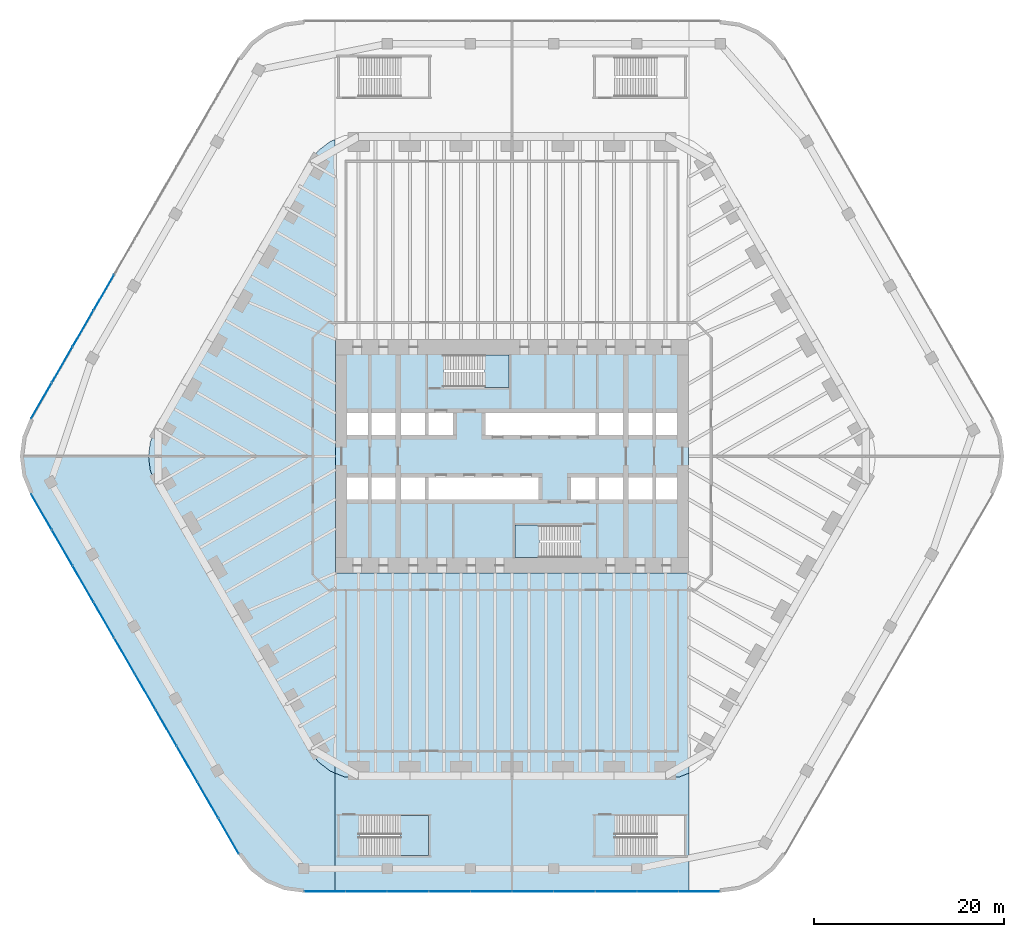
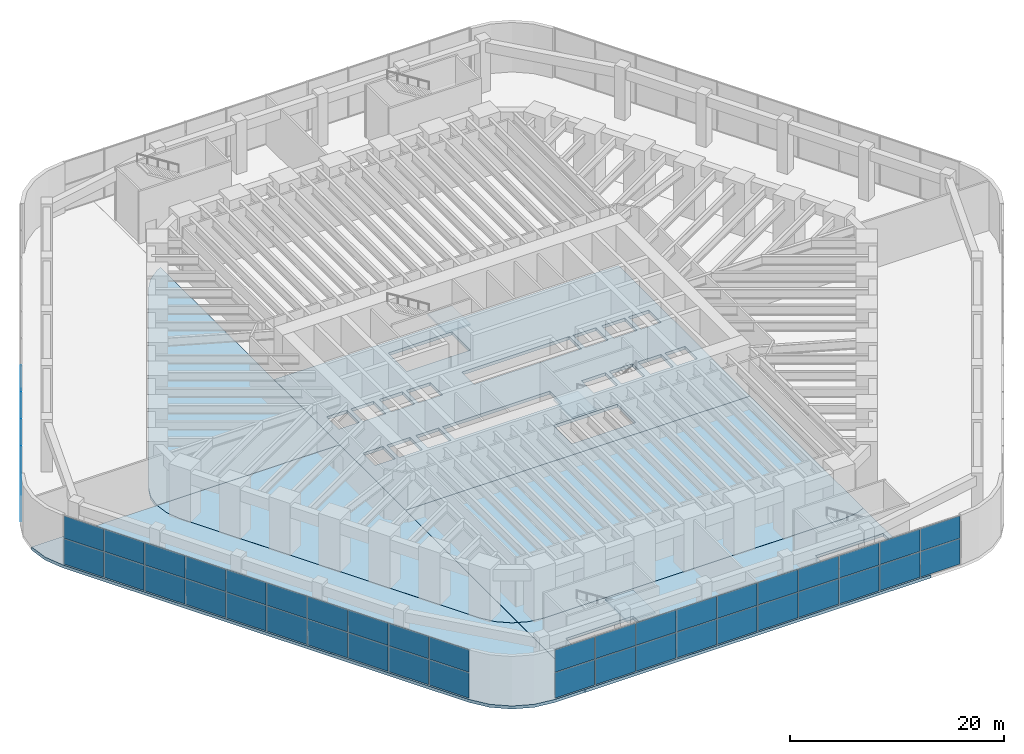
# One storey, part 23 of 31: 48 plates, 9 slabs, 6 elements without a shape of their own.
"""IFC4 building model written with IfcOpenShell, lengths in metres."""

from ifc_helpers import new_model, si_unit, direction, frame, origin, origin_2d, place, context, subcontext, project, spatial, polyline, rectangle, outline, extrude, material, layer, layer_set, type_object, element, aggregate, save


model = new_model("IFC4")

# Units and contexts
model_context = context("Model", 3, precision=1e-05, world=origin(), true_north=direction((0.0, 1.0)))
body_context = subcontext(model_context, "Body", "Model", "MODEL_VIEW")
ifc_project = project(units=[si_unit("LENGTHUNIT", "METRE"), si_unit("AREAUNIT", "SQUARE_METRE"), si_unit("VOLUMEUNIT", "CUBIC_METRE"), si_unit("PLANEANGLEUNIT", "RADIAN"), si_unit("MASSUNIT", "GRAM", prefix="KILO")], contexts=[model_context])

# Site, building, storey
site_placement = place(None, origin())
site = spatial("IfcSite", under=ifc_project, at=site_placement, CompositionType="ELEMENT")
building_placement = place(site_placement, origin())
building = spatial("IfcBuilding", under=site, at=building_placement, Name="Tarfa Lantern Tower", CompositionType="ELEMENT")
storey_placement = place(building_placement, frame((0.0, 0.0, 7.0)))
storey = spatial("IfcBuildingStorey", under=building, at=storey_placement, Name="L01", CompositionType="ELEMENT", Elevation=7.0)

# Curtain wall, plates
ifc_material_1 = material(Name="Aluminium framed curtain wall", Category="aluminium")
curtain_wall_type = type_object("IfcCurtainWallType", Name="CW7 PODIUM GLAZING 5650", PredefinedType="USERDEFINED", material=ifc_material_1)
curtain_wall_1_placement = place(storey_placement, origin())
curtain_wall_1 = element("IfcCurtainWall", 1, at=curtain_wall_1_placement, inside=storey, type_object=curtain_wall_type, Name="CW7 NW L01", ObjectType="CURTAIN WALL", PredefinedType="USERDEFINED")
ifc_material_2 = material(Name="Laminated double glazing", Category="glass")
ifc_layer_1 = layer(ifc_material_2, 0.028076171875)
ifc_layer_set_1 = layer_set([ifc_layer_1], Name="CWP1 DOUBLE GLAZED PANEL")
plate_type = type_object("IfcPlateType", Name="CWP1 DOUBLE GLAZED PANEL", PredefinedType="CURTAIN_PANEL", material=ifc_layer_set_1)
plate_1_placement = place(storey_placement, frame((-43.04150390625, 17.25, 0.06494140625), z_axis=(0.0, 0.0, 1.0), x_axis=(-0.5, -0.866025403784, 0.0)))
plate_1 = element("IfcPlate", 2, at=plate_1_placement, type_object=plate_type, Name="CW7 panel 7.1", PredefinedType="CURTAIN_PANEL", context=body_context, shape_type="SweptSolid", body=[
    extrude(rectangle(XDim=4.32275390625, YDim=0.028076171875, at=origin_2d()), origin(), (0.0, 0.0, 1.0), 2.902587890625),
])
plate_2_placement = place(storey_placement, frame((-43.04150390625, 17.25, 3.03271484375), z_axis=(0.0, 0.0, 1.0), x_axis=(-0.5, -0.866025403784, 0.0)))
plate_2 = element("IfcPlate", 3, at=plate_2_placement, type_object=plate_type, Name="CW7 panel 7.2", PredefinedType="CURTAIN_PANEL", context=body_context, shape_type="SweptSolid", body=[
    extrude(rectangle(XDim=4.32275390625, YDim=0.028076171875, at=origin_2d()), origin(), (0.0, 0.0, 1.0), 2.552490234375),
])
plate_3_placement = place(storey_placement, frame((-45.2353515625, 13.449951171875, 0.06494140625), z_axis=(0.0, 0.0, 1.0), x_axis=(-0.5, -0.866025403784, 0.0)))
plate_3 = element("IfcPlate", 4, at=plate_3_placement, type_object=plate_type, Name="CW7 panel 8.1", PredefinedType="CURTAIN_PANEL", context=body_context, shape_type="SweptSolid", body=[
    extrude(rectangle(XDim=4.32275390625, YDim=0.028076171875, at=origin_2d()), origin(), (0.0, 0.0, 1.0), 2.902587890625),
])
plate_4_placement = place(storey_placement, frame((-45.2353515625, 13.449951171875, 3.03271484375), z_axis=(0.0, 0.0, 1.0), x_axis=(-0.5, -0.866025403784, 0.0)))
plate_4 = element("IfcPlate", 5, at=plate_4_placement, type_object=plate_type, Name="CW7 panel 8.2", PredefinedType="CURTAIN_PANEL", context=body_context, shape_type="SweptSolid", body=[
    extrude(rectangle(XDim=4.32275390625, YDim=0.028076171875, at=origin_2d()), origin(), (0.0, 0.0, 1.0), 2.552490234375),
])
plate_5_placement = place(storey_placement, frame((-47.429443359375, 9.64990234375, 0.06494140625), z_axis=(0.0, 0.0, 1.0), x_axis=(-0.5, -0.866025403784, 0.0)))
plate_5 = element("IfcPlate", 6, at=plate_5_placement, type_object=plate_type, Name="CW7 panel 9.1", PredefinedType="CURTAIN_PANEL", context=body_context, shape_type="SweptSolid", body=[
    extrude(rectangle(XDim=4.32275390625, YDim=0.028076171875, at=origin_2d()), origin(), (0.0, 0.0, 1.0), 2.902587890625),
])
plate_6_placement = place(storey_placement, frame((-47.429443359375, 9.64990234375, 3.03271484375), z_axis=(0.0, 0.0, 1.0), x_axis=(-0.5, -0.866025403784, 0.0)))
plate_6 = element("IfcPlate", 7, at=plate_6_placement, type_object=plate_type, Name="CW7 panel 9.2", PredefinedType="CURTAIN_PANEL", context=body_context, shape_type="SweptSolid", body=[
    extrude(rectangle(XDim=4.32275390625, YDim=0.028076171875, at=origin_2d()), origin(), (0.0, 0.0, 1.0), 2.552490234375),
])
plate_7_placement = place(storey_placement, frame((-49.615234375, 5.864013671875, 0.06494140625), z_axis=(0.0, 0.0, 1.0), x_axis=(-0.5, -0.866025403784, 0.0)))
plate_7 = element("IfcPlate", 8, at=plate_7_placement, type_object=plate_type, Name="CW7 panel 10.1", PredefinedType="CURTAIN_PANEL", context=body_context, shape_type="SweptSolid", body=[
    extrude(rectangle(XDim=4.290283203125, YDim=0.028076171875, at=origin_2d()), origin(), (0.0, 0.0, 1.0), 2.902587890625),
])
plate_8_placement = place(storey_placement, frame((-49.615234375, 5.864013671875, 3.03271484375), z_axis=(0.0, 0.0, 1.0), x_axis=(-0.5, -0.866025403784, 0.0)))
plate_8 = element("IfcPlate", 9, at=plate_8_placement, type_object=plate_type, Name="CW7 panel 10.2", PredefinedType="CURTAIN_PANEL", context=body_context, shape_type="SweptSolid", body=[
    extrude(rectangle(XDim=4.290283203125, YDim=0.028076171875, at=origin_2d()), origin(), (0.0, 0.0, 1.0), 2.552490234375),
])
aggregate(curtain_wall_1, [plate_1, plate_2, plate_3, plate_4, plate_5, plate_6, plate_7, plate_8])

curtain_wall_2_placement = place(storey_placement, origin())
curtain_wall_2 = element("IfcCurtainWall", 10, at=curtain_wall_2_placement, inside=storey, type_object=curtain_wall_type, Name="CW7 SW L01", ObjectType="CURTAIN WALL", PredefinedType="USERDEFINED")
plate_9_placement = place(storey_placement, frame((-49.615234375, -5.864013671875, 0.06494140625), z_axis=(0.0, 0.0, 1.0), x_axis=(0.5, -0.866025403784, 0.0)))
plate_9 = element("IfcPlate", 11, at=plate_9_placement, type_object=plate_type, Name="CW7 panel 1.1", PredefinedType="CURTAIN_PANEL", context=body_context, shape_type="SweptSolid", body=[
    extrude(rectangle(XDim=4.290283203125, YDim=0.028076171875, at=origin_2d()), origin(), (0.0, 0.0, 1.0), 2.902587890625),
])
plate_10_placement = place(storey_placement, frame((-49.615234375, -5.864013671875, 3.03271484375), z_axis=(0.0, 0.0, 1.0), x_axis=(0.5, -0.866025403784, 0.0)))
plate_10 = element("IfcPlate", 12, at=plate_10_placement, type_object=plate_type, Name="CW7 panel 1.2", PredefinedType="CURTAIN_PANEL", context=body_context, shape_type="SweptSolid", body=[
    extrude(rectangle(XDim=4.290283203125, YDim=0.028076171875, at=origin_2d()), origin(), (0.0, 0.0, 1.0), 2.552490234375),
])
plate_11_placement = place(storey_placement, frame((-47.429443359375, -9.64990234375, 0.06494140625), z_axis=(0.0, 0.0, 1.0), x_axis=(0.5, -0.866025403784, 0.0)))
plate_11 = element("IfcPlate", 13, at=plate_11_placement, type_object=plate_type, Name="CW7 panel 2.1", PredefinedType="CURTAIN_PANEL", context=body_context, shape_type="SweptSolid", body=[
    extrude(rectangle(XDim=4.32275390625, YDim=0.028076171875, at=origin_2d()), origin(), (0.0, 0.0, 1.0), 2.902587890625),
])
plate_12_placement = place(storey_placement, frame((-47.429443359375, -9.64990234375, 3.03271484375), z_axis=(0.0, 0.0, 1.0), x_axis=(0.5, -0.866025403784, 0.0)))
plate_12 = element("IfcPlate", 14, at=plate_12_placement, type_object=plate_type, Name="CW7 panel 2.2", PredefinedType="CURTAIN_PANEL", context=body_context, shape_type="SweptSolid", body=[
    extrude(rectangle(XDim=4.32275390625, YDim=0.028076171875, at=origin_2d()), origin(), (0.0, 0.0, 1.0), 2.552490234375),
])
plate_13_placement = place(storey_placement, frame((-45.2353515625, -13.449951171875, 0.06494140625), z_axis=(0.0, 0.0, 1.0), x_axis=(0.5, -0.866025403784, 0.0)))
plate_13 = element("IfcPlate", 15, at=plate_13_placement, type_object=plate_type, Name="CW7 panel 3.1", PredefinedType="CURTAIN_PANEL", context=body_context, shape_type="SweptSolid", body=[
    extrude(rectangle(XDim=4.32275390625, YDim=0.028076171875, at=origin_2d()), origin(), (0.0, 0.0, 1.0), 2.902587890625),
])
plate_14_placement = place(storey_placement, frame((-45.2353515625, -13.449951171875, 3.03271484375), z_axis=(0.0, 0.0, 1.0), x_axis=(0.5, -0.866025403784, 0.0)))
plate_14 = element("IfcPlate", 16, at=plate_14_placement, type_object=plate_type, Name="CW7 panel 3.2", PredefinedType="CURTAIN_PANEL", context=body_context, shape_type="SweptSolid", body=[
    extrude(rectangle(XDim=4.32275390625, YDim=0.028076171875, at=origin_2d()), origin(), (0.0, 0.0, 1.0), 2.552490234375),
])
plate_15_placement = place(storey_placement, frame((-43.04150390625, -17.25, 0.06494140625), z_axis=(0.0, 0.0, 1.0), x_axis=(0.5, -0.866025403784, 0.0)))
plate_15 = element("IfcPlate", 17, at=plate_15_placement, type_object=plate_type, Name="CW7 panel 4.1", PredefinedType="CURTAIN_PANEL", context=body_context, shape_type="SweptSolid", body=[
    extrude(rectangle(XDim=4.32275390625, YDim=0.028076171875, at=origin_2d()), origin(), (0.0, 0.0, 1.0), 2.902587890625),
])
plate_16_placement = place(storey_placement, frame((-43.04150390625, -17.25, 3.03271484375), z_axis=(0.0, 0.0, 1.0), x_axis=(0.5, -0.866025403784, 0.0)))
plate_16 = element("IfcPlate", 18, at=plate_16_placement, type_object=plate_type, Name="CW7 panel 4.2", PredefinedType="CURTAIN_PANEL", context=body_context, shape_type="SweptSolid", body=[
    extrude(rectangle(XDim=4.32275390625, YDim=0.028076171875, at=origin_2d()), origin(), (0.0, 0.0, 1.0), 2.552490234375),
])
plate_17_placement = place(storey_placement, frame((-40.847412109375, -21.050048828125, 0.06494140625), z_axis=(0.0, 0.0, 1.0), x_axis=(0.5, -0.866025403784, 0.0)))
plate_17 = element("IfcPlate", 19, at=plate_17_placement, type_object=plate_type, Name="CW7 panel 5.1", PredefinedType="CURTAIN_PANEL", context=body_context, shape_type="SweptSolid", body=[
    extrude(rectangle(XDim=4.32275390625, YDim=0.028076171875, at=origin_2d()), origin(), (0.0, 0.0, 1.0), 2.902587890625),
])
plate_18_placement = place(storey_placement, frame((-40.847412109375, -21.050048828125, 3.03271484375), z_axis=(0.0, 0.0, 1.0), x_axis=(0.5, -0.866025403784, 0.0)))
plate_18 = element("IfcPlate", 20, at=plate_18_placement, type_object=plate_type, Name="CW7 panel 5.2", PredefinedType="CURTAIN_PANEL", context=body_context, shape_type="SweptSolid", body=[
    extrude(rectangle(XDim=4.32275390625, YDim=0.028076171875, at=origin_2d()), origin(), (0.0, 0.0, 1.0), 2.552490234375),
])
plate_19_placement = place(storey_placement, frame((-38.653564453125, -24.85009765625, 0.06494140625), z_axis=(0.0, 0.0, 1.0), x_axis=(0.5, -0.866025403784, 0.0)))
plate_19 = element("IfcPlate", 21, at=plate_19_placement, type_object=plate_type, Name="CW7 panel 6.1", PredefinedType="CURTAIN_PANEL", context=body_context, shape_type="SweptSolid", body=[
    extrude(rectangle(XDim=4.32275390625, YDim=0.028076171875, at=origin_2d()), origin(), (0.0, 0.0, 1.0), 2.902587890625),
])
plate_20_placement = place(storey_placement, frame((-38.653564453125, -24.85009765625, 3.03271484375), z_axis=(0.0, 0.0, 1.0), x_axis=(0.5, -0.866025403784, 0.0)))
plate_20 = element("IfcPlate", 22, at=plate_20_placement, type_object=plate_type, Name="CW7 panel 6.2", PredefinedType="CURTAIN_PANEL", context=body_context, shape_type="SweptSolid", body=[
    extrude(rectangle(XDim=4.32275390625, YDim=0.028076171875, at=origin_2d()), origin(), (0.0, 0.0, 1.0), 2.552490234375),
])
plate_21_placement = place(storey_placement, frame((-36.459716796875, -28.64990234375, 0.06494140625), z_axis=(0.0, 0.0, 1.0), x_axis=(0.5, -0.866025403784, 0.0)))
plate_21 = element("IfcPlate", 23, at=plate_21_placement, type_object=plate_type, Name="CW7 panel 7.1", PredefinedType="CURTAIN_PANEL", context=body_context, shape_type="SweptSolid", body=[
    extrude(rectangle(XDim=4.32275390625, YDim=0.028076171875, at=origin_2d()), origin(), (0.0, 0.0, 1.0), 2.902587890625),
])
plate_22_placement = place(storey_placement, frame((-36.459716796875, -28.64990234375, 3.03271484375), z_axis=(0.0, 0.0, 1.0), x_axis=(0.5, -0.866025403784, 0.0)))
plate_22 = element("IfcPlate", 24, at=plate_22_placement, type_object=plate_type, Name="CW7 panel 7.2", PredefinedType="CURTAIN_PANEL", context=body_context, shape_type="SweptSolid", body=[
    extrude(rectangle(XDim=4.32275390625, YDim=0.028076171875, at=origin_2d()), origin(), (0.0, 0.0, 1.0), 2.552490234375),
])
plate_23_placement = place(storey_placement, frame((-34.265625, -32.449951171875, 0.06494140625), z_axis=(0.0, 0.0, 1.0), x_axis=(0.5, -0.866025403784, 0.0)))
plate_23 = element("IfcPlate", 25, at=plate_23_placement, type_object=plate_type, Name="CW7 panel 8.1", PredefinedType="CURTAIN_PANEL", context=body_context, shape_type="SweptSolid", body=[
    extrude(rectangle(XDim=4.32275390625, YDim=0.028076171875, at=origin_2d()), origin(), (0.0, 0.0, 1.0), 2.902587890625),
])
plate_24_placement = place(storey_placement, frame((-34.265625, -32.449951171875, 3.03271484375), z_axis=(0.0, 0.0, 1.0), x_axis=(0.5, -0.866025403784, 0.0)))
plate_24 = element("IfcPlate", 26, at=plate_24_placement, type_object=plate_type, Name="CW7 panel 8.2", PredefinedType="CURTAIN_PANEL", context=body_context, shape_type="SweptSolid", body=[
    extrude(rectangle(XDim=4.32275390625, YDim=0.028076171875, at=origin_2d()), origin(), (0.0, 0.0, 1.0), 2.552490234375),
])
plate_25_placement = place(storey_placement, frame((-32.07177734375, -36.25, 0.06494140625), z_axis=(0.0, 0.0, 1.0), x_axis=(0.5, -0.866025403784, 0.0)))
plate_25 = element("IfcPlate", 27, at=plate_25_placement, type_object=plate_type, Name="CW7 panel 9.1", PredefinedType="CURTAIN_PANEL", context=body_context, shape_type="SweptSolid", body=[
    extrude(rectangle(XDim=4.32275390625, YDim=0.028076171875, at=origin_2d()), origin(), (0.0, 0.0, 1.0), 2.902587890625),
])
plate_26_placement = place(storey_placement, frame((-32.07177734375, -36.25, 3.03271484375), z_axis=(0.0, 0.0, 1.0), x_axis=(0.5, -0.866025403784, 0.0)))
plate_26 = element("IfcPlate", 28, at=plate_26_placement, type_object=plate_type, Name="CW7 panel 9.2", PredefinedType="CURTAIN_PANEL", context=body_context, shape_type="SweptSolid", body=[
    extrude(rectangle(XDim=4.32275390625, YDim=0.028076171875, at=origin_2d()), origin(), (0.0, 0.0, 1.0), 2.552490234375),
])
plate_27_placement = place(storey_placement, frame((-29.885986328125, -40.035888671875, 0.06494140625), z_axis=(0.0, 0.0, 1.0), x_axis=(0.5, -0.866025403784, 0.0)))
plate_27 = element("IfcPlate", 29, at=plate_27_placement, type_object=plate_type, Name="CW7 panel 10.1", PredefinedType="CURTAIN_PANEL", context=body_context, shape_type="SweptSolid", body=[
    extrude(rectangle(XDim=4.290283203125, YDim=0.028076171875, at=origin_2d()), origin(), (0.0, 0.0, 1.0), 2.902587890625),
])
plate_28_placement = place(storey_placement, frame((-29.885986328125, -40.035888671875, 3.03271484375), z_axis=(0.0, 0.0, 1.0), x_axis=(0.5, -0.866025403784, 0.0)))
plate_28 = element("IfcPlate", 30, at=plate_28_placement, type_object=plate_type, Name="CW7 panel 10.2", PredefinedType="CURTAIN_PANEL", context=body_context, shape_type="SweptSolid", body=[
    extrude(rectangle(XDim=4.290283203125, YDim=0.028076171875, at=origin_2d()), origin(), (0.0, 0.0, 1.0), 2.552490234375),
])
aggregate(curtain_wall_2, [plate_9, plate_10, plate_11, plate_12, plate_13, plate_14, plate_15, plate_16, plate_17, plate_18, plate_19, plate_20, plate_21, plate_22, plate_23, plate_24, plate_25, plate_26, plate_27, plate_28])

curtain_wall_3_placement = place(storey_placement, origin())
curtain_wall_3 = element("IfcCurtainWall", 31, at=curtain_wall_3_placement, inside=storey, type_object=curtain_wall_type, Name="CW7 S L01", ObjectType="CURTAIN WALL", PredefinedType="USERDEFINED")
plate_29_placement = place(storey_placement, frame((-19.729248046875, -45.89990234375, 0.06494140625), z_axis=(0.0, 0.0, 1.0), x_axis=(1.0, 0.0, 0.0)))
plate_29 = element("IfcPlate", 32, at=plate_29_placement, type_object=plate_type, Name="CW7 panel 1.1", PredefinedType="CURTAIN_PANEL", context=body_context, shape_type="SweptSolid", body=[
    extrude(rectangle(XDim=4.290283203125, YDim=0.028076171875, at=origin_2d()), origin(), (0.0, 0.0, 1.0), 2.902587890625),
])
plate_30_placement = place(storey_placement, frame((-19.729248046875, -45.89990234375, 3.03271484375), z_axis=(0.0, 0.0, 1.0), x_axis=(1.0, 0.0, 0.0)))
plate_30 = element("IfcPlate", 33, at=plate_30_placement, type_object=plate_type, Name="CW7 panel 1.2", PredefinedType="CURTAIN_PANEL", context=body_context, shape_type="SweptSolid", body=[
    extrude(rectangle(XDim=4.290283203125, YDim=0.028076171875, at=origin_2d()), origin(), (0.0, 0.0, 1.0), 2.552490234375),
])
plate_31_placement = place(storey_placement, frame((-15.357421875, -45.89990234375, 0.06494140625), z_axis=(0.0, 0.0, 1.0), x_axis=(1.0, 0.0, 0.0)))
plate_31 = element("IfcPlate", 34, at=plate_31_placement, type_object=plate_type, Name="CW7 panel 2.1", PredefinedType="CURTAIN_PANEL", context=body_context, shape_type="SweptSolid", body=[
    extrude(rectangle(XDim=4.32275390625, YDim=0.028076171875, at=origin_2d()), origin(), (0.0, 0.0, 1.0), 2.902587890625),
])
plate_32_placement = place(storey_placement, frame((-15.357421875, -45.89990234375, 3.03271484375), z_axis=(0.0, 0.0, 1.0), x_axis=(1.0, 0.0, 0.0)))
plate_32 = element("IfcPlate", 35, at=plate_32_placement, type_object=plate_type, Name="CW7 panel 2.2", PredefinedType="CURTAIN_PANEL", context=body_context, shape_type="SweptSolid", body=[
    extrude(rectangle(XDim=4.32275390625, YDim=0.028076171875, at=origin_2d()), origin(), (0.0, 0.0, 1.0), 2.552490234375),
])
plate_33_placement = place(storey_placement, frame((-10.9697265625, -45.89990234375, 0.06494140625), z_axis=(0.0, 0.0, 1.0), x_axis=(1.0, 0.0, 0.0)))
plate_33 = element("IfcPlate", 36, at=plate_33_placement, type_object=plate_type, Name="CW7 panel 3.1", PredefinedType="CURTAIN_PANEL", context=body_context, shape_type="SweptSolid", body=[
    extrude(rectangle(XDim=4.32275390625, YDim=0.028076171875, at=origin_2d()), origin(), (0.0, 0.0, 1.0), 2.902587890625),
])
plate_34_placement = place(storey_placement, frame((-10.9697265625, -45.89990234375, 3.03271484375), z_axis=(0.0, 0.0, 1.0), x_axis=(1.0, 0.0, 0.0)))
plate_34 = element("IfcPlate", 37, at=plate_34_placement, type_object=plate_type, Name="CW7 panel 3.2", PredefinedType="CURTAIN_PANEL", context=body_context, shape_type="SweptSolid", body=[
    extrude(rectangle(XDim=4.32275390625, YDim=0.028076171875, at=origin_2d()), origin(), (0.0, 0.0, 1.0), 2.552490234375),
])
plate_35_placement = place(storey_placement, frame((-6.581787109375, -45.89990234375, 0.06494140625), z_axis=(0.0, 0.0, 1.0), x_axis=(1.0, 0.0, 0.0)))
plate_35 = element("IfcPlate", 38, at=plate_35_placement, type_object=plate_type, Name="CW7 panel 4.1", PredefinedType="CURTAIN_PANEL", context=body_context, shape_type="SweptSolid", body=[
    extrude(rectangle(XDim=4.32275390625, YDim=0.028076171875, at=origin_2d()), origin(), (0.0, 0.0, 1.0), 2.902587890625),
])
plate_36_placement = place(storey_placement, frame((-6.581787109375, -45.89990234375, 3.03271484375), z_axis=(0.0, 0.0, 1.0), x_axis=(1.0, 0.0, 0.0)))
plate_36 = element("IfcPlate", 39, at=plate_36_placement, type_object=plate_type, Name="CW7 panel 4.2", PredefinedType="CURTAIN_PANEL", context=body_context, shape_type="SweptSolid", body=[
    extrude(rectangle(XDim=4.32275390625, YDim=0.028076171875, at=origin_2d()), origin(), (0.0, 0.0, 1.0), 2.552490234375),
])
plate_37_placement = place(storey_placement, frame((-2.19384765625, -45.89990234375, 0.06494140625), z_axis=(0.0, 0.0, 1.0), x_axis=(1.0, 0.0, 0.0)))
plate_37 = element("IfcPlate", 40, at=plate_37_placement, type_object=plate_type, Name="CW7 panel 5.1", PredefinedType="CURTAIN_PANEL", context=body_context, shape_type="SweptSolid", body=[
    extrude(rectangle(XDim=4.32275390625, YDim=0.028076171875, at=origin_2d()), origin(), (0.0, 0.0, 1.0), 2.902587890625),
])
plate_38_placement = place(storey_placement, frame((-2.19384765625, -45.89990234375, 3.03271484375), z_axis=(0.0, 0.0, 1.0), x_axis=(1.0, 0.0, 0.0)))
plate_38 = element("IfcPlate", 41, at=plate_38_placement, type_object=plate_type, Name="CW7 panel 5.2", PredefinedType="CURTAIN_PANEL", context=body_context, shape_type="SweptSolid", body=[
    extrude(rectangle(XDim=4.32275390625, YDim=0.028076171875, at=origin_2d()), origin(), (0.0, 0.0, 1.0), 2.552490234375),
])
plate_39_placement = place(storey_placement, frame((2.19384765625, -45.89990234375, 0.06494140625), z_axis=(0.0, 0.0, 1.0), x_axis=(1.0, 0.0, 0.0)))
plate_39 = element("IfcPlate", 42, at=plate_39_placement, type_object=plate_type, Name="CW7 panel 6.1", PredefinedType="CURTAIN_PANEL", context=body_context, shape_type="SweptSolid", body=[
    extrude(rectangle(XDim=4.32275390625, YDim=0.028076171875, at=origin_2d()), origin(), (0.0, 0.0, 1.0), 2.902587890625),
])
plate_40_placement = place(storey_placement, frame((2.19384765625, -45.89990234375, 3.03271484375), z_axis=(0.0, 0.0, 1.0), x_axis=(1.0, 0.0, 0.0)))
plate_40 = element("IfcPlate", 43, at=plate_40_placement, type_object=plate_type, Name="CW7 panel 6.2", PredefinedType="CURTAIN_PANEL", context=body_context, shape_type="SweptSolid", body=[
    extrude(rectangle(XDim=4.32275390625, YDim=0.028076171875, at=origin_2d()), origin(), (0.0, 0.0, 1.0), 2.552490234375),
])
plate_41_placement = place(storey_placement, frame((6.581787109375, -45.89990234375, 0.06494140625), z_axis=(0.0, 0.0, 1.0), x_axis=(1.0, 0.0, 0.0)))
plate_41 = element("IfcPlate", 44, at=plate_41_placement, type_object=plate_type, Name="CW7 panel 7.1", PredefinedType="CURTAIN_PANEL", context=body_context, shape_type="SweptSolid", body=[
    extrude(rectangle(XDim=4.32275390625, YDim=0.028076171875, at=origin_2d()), origin(), (0.0, 0.0, 1.0), 2.902587890625),
])
plate_42_placement = place(storey_placement, frame((6.581787109375, -45.89990234375, 3.03271484375), z_axis=(0.0, 0.0, 1.0), x_axis=(1.0, 0.0, 0.0)))
plate_42 = element("IfcPlate", 45, at=plate_42_placement, type_object=plate_type, Name="CW7 panel 7.2", PredefinedType="CURTAIN_PANEL", context=body_context, shape_type="SweptSolid", body=[
    extrude(rectangle(XDim=4.32275390625, YDim=0.028076171875, at=origin_2d()), origin(), (0.0, 0.0, 1.0), 2.552490234375),
])
plate_43_placement = place(storey_placement, frame((10.9697265625, -45.89990234375, 0.06494140625), z_axis=(0.0, 0.0, 1.0), x_axis=(1.0, 0.0, 0.0)))
plate_43 = element("IfcPlate", 46, at=plate_43_placement, type_object=plate_type, Name="CW7 panel 8.1", PredefinedType="CURTAIN_PANEL", context=body_context, shape_type="SweptSolid", body=[
    extrude(rectangle(XDim=4.32275390625, YDim=0.028076171875, at=origin_2d()), origin(), (0.0, 0.0, 1.0), 2.902587890625),
])
plate_44_placement = place(storey_placement, frame((10.9697265625, -45.89990234375, 3.03271484375), z_axis=(0.0, 0.0, 1.0), x_axis=(1.0, 0.0, 0.0)))
plate_44 = element("IfcPlate", 47, at=plate_44_placement, type_object=plate_type, Name="CW7 panel 8.2", PredefinedType="CURTAIN_PANEL", context=body_context, shape_type="SweptSolid", body=[
    extrude(rectangle(XDim=4.32275390625, YDim=0.028076171875, at=origin_2d()), origin(), (0.0, 0.0, 1.0), 2.552490234375),
])
plate_45_placement = place(storey_placement, frame((15.357421875, -45.89990234375, 0.06494140625), z_axis=(0.0, 0.0, 1.0), x_axis=(1.0, 0.0, 0.0)))
plate_45 = element("IfcPlate", 48, at=plate_45_placement, type_object=plate_type, Name="CW7 panel 9.1", PredefinedType="CURTAIN_PANEL", context=body_context, shape_type="SweptSolid", body=[
    extrude(rectangle(XDim=4.32275390625, YDim=0.028076171875, at=origin_2d()), origin(), (0.0, 0.0, 1.0), 2.902587890625),
])
plate_46_placement = place(storey_placement, frame((15.357421875, -45.89990234375, 3.03271484375), z_axis=(0.0, 0.0, 1.0), x_axis=(1.0, 0.0, 0.0)))
plate_46 = element("IfcPlate", 49, at=plate_46_placement, type_object=plate_type, Name="CW7 panel 9.2", PredefinedType="CURTAIN_PANEL", context=body_context, shape_type="SweptSolid", body=[
    extrude(rectangle(XDim=4.32275390625, YDim=0.028076171875, at=origin_2d()), origin(), (0.0, 0.0, 1.0), 2.552490234375),
])
plate_47_placement = place(storey_placement, frame((19.729248046875, -45.89990234375, 0.06494140625), z_axis=(0.0, 0.0, 1.0), x_axis=(1.0, 0.0, 0.0)))
plate_47 = element("IfcPlate", 50, at=plate_47_placement, type_object=plate_type, Name="CW7 panel 10.1", PredefinedType="CURTAIN_PANEL", context=body_context, shape_type="SweptSolid", body=[
    extrude(rectangle(XDim=4.290283203125, YDim=0.028076171875, at=origin_2d()), origin(), (0.0, 0.0, 1.0), 2.902587890625),
])
plate_48_placement = place(storey_placement, frame((19.729248046875, -45.89990234375, 3.03271484375), z_axis=(0.0, 0.0, 1.0), x_axis=(1.0, 0.0, 0.0)))
plate_48 = element("IfcPlate", 51, at=plate_48_placement, type_object=plate_type, Name="CW7 panel 10.2", PredefinedType="CURTAIN_PANEL", context=body_context, shape_type="SweptSolid", body=[
    extrude(rectangle(XDim=4.290283203125, YDim=0.028076171875, at=origin_2d()), origin(), (0.0, 0.0, 1.0), 2.552490234375),
])
aggregate(curtain_wall_3, [plate_29, plate_30, plate_31, plate_32, plate_33, plate_34, plate_35, plate_36, plate_37, plate_38, plate_39, plate_40, plate_41, plate_42, plate_43, plate_44, plate_45, plate_46, plate_47, plate_48])

# Slabs
ifc_material_3 = material(Name="Concrete C40/50", Category="concrete")
ifc_layer_2 = layer(ifc_material_3, 0.35009765625)
ifc_layer_set_2 = layer_set([ifc_layer_2], Name="FS3 FLOOR SLAB 350")
slab_type_1 = type_object("IfcSlabType", Name="FS3 FLOOR SLAB 350", PredefinedType="FLOOR", material=ifc_layer_set_2)
slab_1_placement = place(storey_placement, frame((0.0, 0.0, -0.35009765625)))
element("IfcSlab", 52, at=slab_1_placement, inside=storey, type_object=slab_type_1, Name="Floor slab L01", PredefinedType="FLOOR", context=body_context, shape_type="SweptSolid", body=[
    extrude(outline(polyline([(-18.60009765625, -12.300048828125), (18.60009765625, -12.300048828125), (18.60009765625, 12.300048828125), (-18.60009765625, 12.300048828125), (-18.60009765625, -12.300048828125)]), holes=[polyline([(-17.39990234375, 2.25), (-15.199951171875, 2.25), (-15.199951171875, 4.550048828125), (-17.39990234375, 4.550048828125), (-17.39990234375, 2.25)]), polyline([(-14.800048828125, 2.25), (-12.300048828125, 2.25), (-12.300048828125, 4.550048828125), (-14.800048828125, 4.550048828125), (-14.800048828125, 2.25)]), polyline([(-11.699951171875, 2.25), (-9.199951171875, 2.25), (-9.199951171875, 4.550048828125), (-11.699951171875, 4.550048828125), (-11.699951171875, 2.25)]), polyline([(-8.800048828125, 2.25), (-6.199951171875, 2.25), (-6.199951171875, 4.550048828125), (-8.800048828125, 4.550048828125), (-8.800048828125, 2.25)]), polyline([(-2.800048828125, 2.25), (8.800048828125, 2.25), (8.800048828125, 4.550048828125), (-2.800048828125, 4.550048828125), (-2.800048828125, 2.25)]), polyline([(9.199951171875, 2.25), (11.699951171875, 2.25), (11.699951171875, 4.550048828125), (9.199951171875, 4.550048828125), (9.199951171875, 2.25)]), polyline([(12.300048828125, 2.25), (14.800048828125, 2.25), (14.800048828125, 4.550048828125), (12.300048828125, 4.550048828125), (12.300048828125, 2.25)]), polyline([(15.199951171875, 2.25), (17.39990234375, 2.25), (17.39990234375, 4.550048828125), (15.199951171875, 4.550048828125), (15.199951171875, 2.25)]), polyline([(17.39990234375, -2.25), (15.199951171875, -2.25), (15.199951171875, -4.550048828125), (17.39990234375, -4.550048828125), (17.39990234375, -2.25)]), polyline([(14.800048828125, -2.25), (12.300048828125, -2.25), (12.300048828125, -4.550048828125), (14.800048828125, -4.550048828125), (14.800048828125, -2.25)]), polyline([(11.699951171875, -2.25), (9.199951171875, -2.25), (9.199951171875, -4.550048828125), (11.699951171875, -4.550048828125), (11.699951171875, -2.25)]), polyline([(8.800048828125, -2.25), (6.199951171875, -2.25), (6.199951171875, -4.550048828125), (8.800048828125, -4.550048828125), (8.800048828125, -2.25)]), polyline([(2.800048828125, -2.25), (-8.800048828125, -2.25), (-8.800048828125, -4.550048828125), (2.800048828125, -4.550048828125), (2.800048828125, -2.25)]), polyline([(-9.199951171875, -2.25), (-11.699951171875, -2.25), (-11.699951171875, -4.550048828125), (-9.199951171875, -4.550048828125), (-9.199951171875, -2.25)]), polyline([(-12.300048828125, -2.25), (-14.800048828125, -2.25), (-14.800048828125, -4.550048828125), (-12.300048828125, -4.550048828125), (-12.300048828125, -2.25)]), polyline([(-15.199951171875, -2.25), (-17.39990234375, -2.25), (-17.39990234375, -4.550048828125), (-15.199951171875, -4.550048828125), (-15.199951171875, -2.25)]), polyline([(-7.199951171875, 7.25), (-0.300048828125, 7.25), (-0.300048828125, 10.699951171875), (-7.199951171875, 10.699951171875), (-7.199951171875, 7.25)]), polyline([(7.199951171875, -7.25), (0.300048828125, -7.25), (0.300048828125, -10.699951171875), (7.199951171875, -10.699951171875), (7.199951171875, -7.25)])]), origin(), (0.0, 0.0, 1.0), 0.35009765625),
])
slab_2_placement = place(storey_placement, frame((0.0, 0.0, -0.35009765625)))
element("IfcSlab", 53, at=slab_2_placement, inside=storey, type_object=slab_type_1, Name="Floor slab L01 NW bay", PredefinedType="FLOOR", context=body_context, shape_type="SweptSolid", body=[
    extrude(outline(polyline([(-18.60205078125, 0.001953125), (-18.60205078125, 12.300048828125), (-18.64697265625, 33.408935546875), (-19.164794921875, 33.1943359375), (-20.406982421875, 32.2412109375), (-21.3603515625, 30.998779296875), (-37.52587890625, 2.9990234375), (-38.125244140625, 1.552490234375), (-38.329345703125, 0.001953125), (-18.60205078125, 0.001953125)])), origin(), (0.0, 0.0, 1.0), 0.35009765625),
])
slab_3_placement = place(storey_placement, frame((0.0, 0.0, -0.35009765625)))
element("IfcSlab", 54, at=slab_3_placement, inside=storey, type_object=slab_type_1, Name="Floor slab L01 SW bay", PredefinedType="FLOOR", context=body_context, shape_type="SweptSolid", body=[
    extrude(outline(polyline([(-18.60205078125, -12.300048828125), (-18.60205078125, -0.001953125), (-38.329345703125, -0.001953125), (-38.125244140625, -1.552490234375), (-37.52587890625, -2.9990234375), (-21.3603515625, -30.998779296875), (-20.406982421875, -32.2412109375), (-19.164794921875, -33.1943359375), (-18.64697265625, -33.408935546875), (-18.60205078125, -12.300048828125)])), origin(), (0.0, 0.0, 1.0), 0.35009765625),
])
slab_4_placement = place(storey_placement, frame((0.0, 0.0, -0.35009765625)))
element("IfcSlab", 55, at=slab_4_placement, inside=storey, type_object=slab_type_1, Name="Floor slab L01 S bay", PredefinedType="FLOOR", context=body_context, shape_type="SweptSolid", body=[
    extrude(outline(polyline([(18.597900390625, -12.302001953125), (-18.597900390625, -12.302001953125), (-18.64306640625, -33.41064453125), (-17.71826171875, -33.793701171875), (-16.165771484375, -33.998046875), (16.165771484375, -33.998046875), (17.71826171875, -33.793701171875), (18.64306640625, -33.41064453125), (18.597900390625, -12.302001953125)])), origin(), (0.0, 0.0, 1.0), 0.35009765625),
])
slab_5_placement = place(storey_placement, frame((0.0, 0.0, -0.35009765625)))
element("IfcSlab", 56, at=slab_5_placement, inside=storey, type_object=slab_type_1, Name="Floor slab L01 podium-SW bay", PredefinedType="FLOOR", context=body_context, shape_type="SweptSolid", body=[
    extrude(outline(polyline([(-18.64697265625, -33.4130859375), (-19.166748046875, -33.197998046875), (-20.409912109375, -32.244140625), (-21.363525390625, -31.001220703125), (-37.529541015625, -3.0009765625), (-38.129150390625, -1.553466796875), (-38.333251953125, -0.001953125), (-51.876220703125, -0.001953125), (-51.60400390625, -2.070068359375), (-50.804931640625, -3.9990234375), (-28.865966796875, -41.998779296875), (-27.5947265625, -43.655517578125), (-25.938232421875, -44.926513671875), (-24.00927734375, -45.725341796875), (-21.939208984375, -45.998046875), (-18.673828125, -45.998046875), (-18.64697265625, -33.4130859375)])), origin(), (0.0, 0.0, 1.0), 0.35009765625),
])
slab_6_placement = place(storey_placement, frame((0.0, 0.0, -0.35009765625)))
element("IfcSlab", 57, at=slab_6_placement, inside=storey, type_object=slab_type_1, Name="Floor slab L01 podium-S bay", PredefinedType="FLOOR", context=body_context, shape_type="SweptSolid", body=[
    extrude(outline(polyline([(18.64306640625, -33.414794921875), (17.71923828125, -33.797607421875), (16.166015625, -34.001953125), (-16.166015625, -34.001953125), (-17.71923828125, -33.797607421875), (-18.64306640625, -33.414794921875), (-18.669921875, -45.998046875), (18.669921875, -45.998046875), (18.64306640625, -33.414794921875)]), holes=[polyline([(-16.10009765625, -42.10009765625), (-8.800048828125, -42.10009765625), (-8.800048828125, -37.89990234375), (-16.10009765625, -37.89990234375), (-16.10009765625, -42.10009765625)]), polyline([(10.89990234375, -42.10009765625), (18.199951171875, -42.10009765625), (18.199951171875, -37.89990234375), (10.89990234375, -37.89990234375), (10.89990234375, -42.10009765625)])]), origin(), (0.0, 0.0, 1.0), 0.35009765625),
])

# Stair, slab
stair_type_1 = type_object("IfcStairType", Name="ST-T5 HALF-TURN STAIR 6000 RISE", PredefinedType="HALF_TURN_STAIR", material=ifc_material_3)
stair_1_placement = place(storey_placement, origin())
stair_1 = element("IfcStair", 58, at=stair_1_placement, inside=storey, type_object=stair_type_1, Name="Stair ST1", PredefinedType="HALF_TURN_STAIR")
ifc_layer_3 = layer(ifc_material_3, 0.199951171875)
ifc_layer_set_3 = layer_set([ifc_layer_3], Name="SL1 STAIR LANDING 200")
slab_type_2 = type_object("IfcSlabType", Name="SL1 STAIR LANDING 200", PredefinedType="LANDING", material=ifc_layer_set_3)
slab_7_placement = place(storey_placement, frame((0.0, 0.0, 2.800048828125)))
slab_7 = element("IfcSlab", 59, at=slab_7_placement, type_object=slab_type_2, Name="ST1 landing 1", PredefinedType="LANDING", context=body_context, shape_type="SweptSolid", body=[
    extrude(outline(polyline([(-2.919921875, 7.25), (-0.300048828125, 7.25), (-0.300048828125, 10.699951171875), (-2.919921875, 10.699951171875), (-2.919921875, 7.25)])), origin(), (0.0, 0.0, 1.0), 0.199951171875),
])
aggregate(stair_1, [slab_7])

stair_2_placement = place(storey_placement, origin())
stair_2 = element("IfcStair", 60, at=stair_2_placement, inside=storey, type_object=stair_type_1, Name="Stair ST2", PredefinedType="HALF_TURN_STAIR")
slab_8_placement = place(storey_placement, frame((0.0, 0.0, 2.800048828125)))
slab_8 = element("IfcSlab", 61, at=slab_8_placement, type_object=slab_type_2, Name="ST2 landing 1", PredefinedType="LANDING", context=body_context, shape_type="SweptSolid", body=[
    extrude(outline(polyline([(2.919921875, -7.25), (0.300048828125, -7.25), (0.300048828125, -10.699951171875), (2.919921875, -10.699951171875), (2.919921875, -7.25)])), origin(), (0.0, 0.0, 1.0), 0.199951171875),
])
aggregate(stair_2, [slab_8])

stair_type_2 = type_object("IfcStairType", Name="ST-T6 HALF-TURN STAIR 6000 RISE", PredefinedType="HALF_TURN_STAIR", material=ifc_material_3)
stair_3_placement = place(storey_placement, origin())
stair_3 = element("IfcStair", 62, at=stair_3_placement, inside=storey, type_object=stair_type_2, Name="Stair ST5", PredefinedType="HALF_TURN_STAIR")
slab_9_placement = place(storey_placement, frame((0.0, 0.0, 2.800048828125)))
slab_9 = element("IfcSlab", 63, at=slab_9_placement, type_object=slab_type_2, Name="ST5 landing 1", PredefinedType="LANDING", context=body_context, shape_type="SweptSolid", body=[
    extrude(outline(polyline([(-11.820068359375, -42.10009765625), (-8.800048828125, -42.10009765625), (-8.800048828125, -37.89990234375), (-11.820068359375, -37.89990234375), (-11.820068359375, -42.10009765625)])), origin(), (0.0, 0.0, 1.0), 0.199951171875),
])
aggregate(stair_3, [slab_9])

save(model, "model.ifc")
